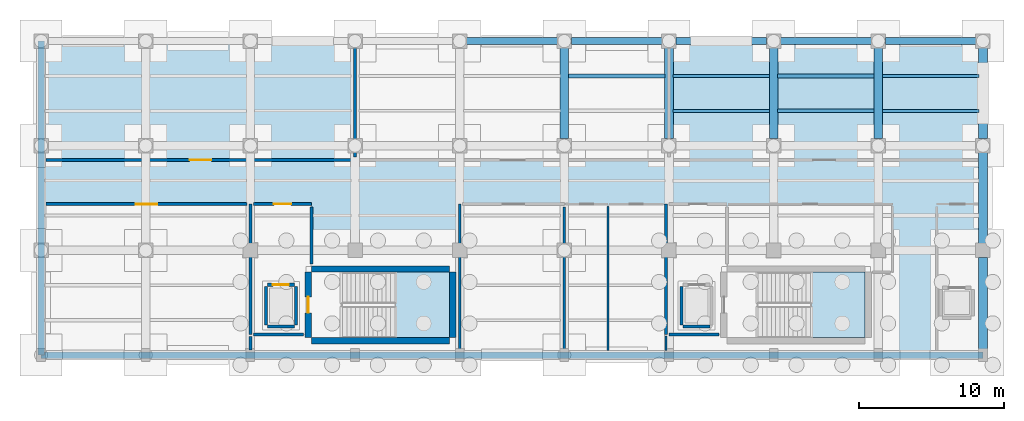
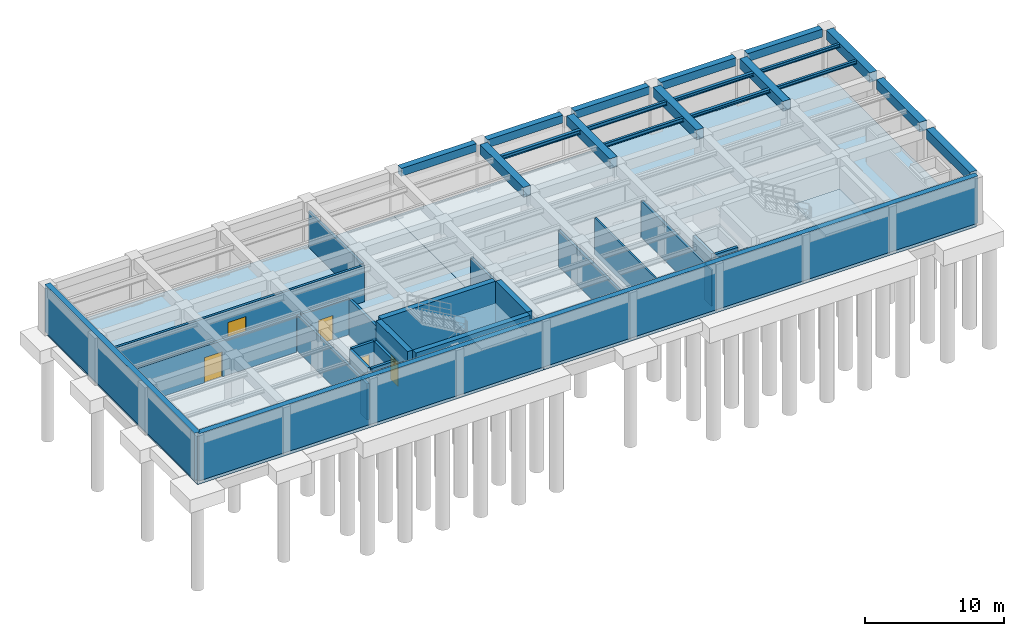
# One storey, part 3 of 8: 26 walls, 19 beams, 5 doors, 4 slabs, 5 openings, 2 elements without a shape of their own.
"""IFC4 building model written with IfcOpenShell, lengths in metres."""

import ifcopenshell
import ifcopenshell.guid

model = None  # the IFC model being written
_history = None  # IfcOwnerHistory: only IFC2X3 demands one
_inside = {}  # id of a spatial element -> (the spatial element, [elements in it])
_under = {}  # id of a project, library or spatial element -> (it, [spatial elements below it])
_declared = {}  # id of a project -> (the project, [libraries it declares])
_typed = {}  # id of a type object -> (the type object, [elements of that type])
_made_of = {}  # id of a material, layer set ... -> (it, [elements and type objects made of it])


def new_model(schema):
    """Start an empty IFC model of exactly this schema.

    Asked for "IFC4X3", IfcOpenShell would pick the latest addendum, in which some entities
    have other attributes; the version numbers below select the first issue.
    IFC2X3 requires an IfcOwnerHistory on every rooted entity: one is made here for all.
    """
    global model, _history
    if schema == "IFC4X3":
        model = ifcopenshell.file(schema_version=(4, 3, 0, 0))
    else:
        model = ifcopenshell.file(schema=schema)
    _inside.clear()
    _under.clear()
    _declared.clear()
    _typed.clear()
    _made_of.clear()
    _history = None
    if model.schema == "IFC2X3":
        org = make("IfcOrganization", Name="unknown")
        user = make(
            "IfcPersonAndOrganization",
            ThePerson=make("IfcPerson", FamilyName="unknown"),
            TheOrganization=org,
        )
        app = make(
            "IfcApplication",
            ApplicationDeveloper=org,
            Version="unknown",
            ApplicationFullName="unknown",
            ApplicationIdentifier="unknown",
        )
        _history = make(
            "IfcOwnerHistory",
            OwningUser=user,
            OwningApplication=app,
            ChangeAction="ADDED",
            CreationDate=0,
        )
    return model


def make(cls, **values):
    """One entity of the class cls with the attributes given. An attribute that is None is left unset."""
    return model.create_entity(
        cls, **{name: value for name, value in values.items() if value is not None}
    )


def rooted(cls, **values):
    """An entity with a GlobalId (a new one), such as an element, a storey or a relation."""
    return make(cls, GlobalId=ifcopenshell.guid.new(), OwnerHistory=_history, **values)


def si_unit(unit_type, name, prefix=None):
    """IfcSIUnit, for example si_unit("LENGTHUNIT", "METRE", prefix="MILLI")."""
    return make("IfcSIUnit", UnitType=unit_type, Prefix=prefix, Name=name)


def assignment(units):
    """IfcUnitAssignment: the units of a project."""
    return None if units is None else make("IfcUnitAssignment", Units=units)


def point(xyz):
    """IfcCartesianPoint."""
    return None if xyz is None else make("IfcCartesianPoint", Coordinates=xyz)


def direction(xyz):
    """IfcDirection."""
    return None if xyz is None else make("IfcDirection", DirectionRatios=xyz)


def frame(location, z_axis=None, x_axis=None):
    """IfcAxis2Placement3D, a coordinate frame: its origin and axes. An axis left out is left unset."""
    return make(
        "IfcAxis2Placement3D",
        Location=point(location),
        Axis=direction(z_axis),
        RefDirection=direction(x_axis),
    )


def frame_2d(location, x_axis=None):
    """IfcAxis2Placement2D, a coordinate frame in the plane: its origin and x axis."""
    return make(
        "IfcAxis2Placement2D", Location=point(location), RefDirection=direction(x_axis)
    )


def origin():
    """The frame at (0, 0, 0) with its axes left unset."""
    return frame((0.0, 0.0, 0.0))


def origin_2d():
    """The frame at (0, 0) in the plane with its x axis left unset."""
    return frame_2d((0.0, 0.0))


def place(relative_to, where):
    """IfcLocalPlacement: puts the frame where relative to a parent placement (None: the world)."""
    return make(
        "IfcLocalPlacement", PlacementRelTo=relative_to, RelativePlacement=where
    )


def context(
    kind, dimensions, precision=None, world=None, true_north=None, identifier=None
):
    """IfcGeometricRepresentationContext, for example the 3D "Model" context."""
    return make(
        "IfcGeometricRepresentationContext",
        ContextIdentifier=identifier,
        ContextType=kind,
        CoordinateSpaceDimension=dimensions,
        Precision=precision,
        WorldCoordinateSystem=world,
        TrueNorth=true_north,
    )


def subcontext(parent, identifier, kind, view, scale=None):
    """IfcGeometricRepresentationSubContext, for example "Body" below "Model"."""
    return make(
        "IfcGeometricRepresentationSubContext",
        ContextIdentifier=identifier,
        ContextType=kind,
        ParentContext=parent,
        TargetScale=scale,
        TargetView=view,
    )


def project(units=None, contexts=None):
    """IfcProject with its units and contexts."""
    return rooted(
        "IfcProject",
        Name="project",
        RepresentationContexts=contexts,
        UnitsInContext=assignment(units),
    )


def spatial(cls, under=None, at=None, **own):
    """A site, building, storey or space (cls), placed at a placement, below another one or the project."""
    s = rooted(cls, ObjectPlacement=at, **own)
    if under is not None:
        _under.setdefault(under.id(), (under, []))[1].append(s)
    return s


def polyline(points):
    """IfcPolyline through the points."""
    return make("IfcPolyline", Points=[point(p) for p in points])


def profile(cls, at=None, kind="AREA", **sizes):
    """A parametric profile (cls). Its sizes go by their IFC names, for example OverallWidth=200.0."""
    return make(cls, ProfileType=kind, Position=at, **sizes)


def rectangle(**sizes):
    """IfcRectangleProfileDef."""
    return profile("IfcRectangleProfileDef", **sizes)


def i_section(**sizes):
    """IfcIShapeProfileDef."""
    return profile("IfcIShapeProfileDef", **sizes)


def outline(outer, holes=None, kind="AREA"):
    """IfcArbitraryClosedProfileDef: a profile drawn as a closed curve; with holes, ...WithVoids."""
    if holes is None:
        return make("IfcArbitraryClosedProfileDef", ProfileType=kind, OuterCurve=outer)
    return make(
        "IfcArbitraryProfileDefWithVoids",
        ProfileType=kind,
        OuterCurve=outer,
        InnerCurves=holes,
    )


def extrude(swept, where, along, depth):
    """IfcExtrudedAreaSolid: the profile swept, set in the frame where, extruded along a direction by depth."""
    return make(
        "IfcExtrudedAreaSolid",
        SweptArea=swept,
        Position=where,
        ExtrudedDirection=direction(along),
        Depth=depth,
    )


def shape(context_of_items, identifier, shape_type, items):
    """IfcShapeRepresentation: the items that make up one representation, for example the "Body"."""
    return make(
        "IfcShapeRepresentation",
        ContextOfItems=context_of_items,
        RepresentationIdentifier=identifier,
        RepresentationType=shape_type,
        Items=items,
    )


def material(Name=None, Category=None):
    """IfcMaterial."""
    return make("IfcMaterial", Name=Name, Category=Category)


def layer(
    of_material, thickness, ventilated=None, Name=None, Category=None, Priority=None
):
    """IfcMaterialLayer: one layer of a wall or slab, of a material (None: an air gap)."""
    return make(
        "IfcMaterialLayer",
        Material=of_material,
        LayerThickness=thickness,
        IsVentilated=ventilated,
        Name=Name,
        Category=Category,
        Priority=Priority,
    )


def layer_set(layers, Name=None):
    """IfcMaterialLayerSet."""
    return make("IfcMaterialLayerSet", MaterialLayers=layers, LayerSetName=Name)


def material_profile(
    of_material, cross_section, Name=None, Category=None, Priority=None
):
    """IfcMaterialProfile: a cross section and its material."""
    return make(
        "IfcMaterialProfile",
        Name=Name,
        Material=of_material,
        Profile=cross_section,
        Priority=Priority,
        Category=Category,
    )


def profile_set(profiles, Name=None, composite=None):
    """IfcMaterialProfileSet."""
    return make(
        "IfcMaterialProfileSet",
        Name=Name,
        MaterialProfiles=profiles,
        CompositeProfile=composite,
    )


def made_of(thing, what):
    """Note that an element or type object is made of a material, layer set ...; save() writes the relation."""
    if what is not None:
        _made_of.setdefault(what.id(), (what, []))[1].append(thing)
    return thing


def type_object(cls, material=None, **own):
    """A type object (cls), such as IfcWallType, which elements share."""
    return made_of(rooted(cls, **own), material)


def element(
    cls,
    number,
    at=None,
    inside=None,
    cuts=None,
    type_object=None,
    material=None,
    context=None,
    identifier="Body",
    shape_type=None,
    held_by="IfcProductDefinitionShape",
    body=None,
    shapes=None,
    **own,
):
    """One element of the class cls, such as IfcWall. Its Tag is "e" and its number.

    at: its placement. inside: the storey or other place that contains it. cuts: it is an
    opening in that element (IfcRelVoidsElement). A single representation is given by context,
    identifier, shape_type and body (its items); several are given by shapes. held_by: the class
    of the entity that holds the representations. save() writes the other relations.
    """
    e = rooted(cls, Tag="e%d" % number, ObjectPlacement=at, **own)
    if body is not None:
        shapes = [shape(context, identifier, shape_type, body)]
    if shapes is not None:
        e.Representation = make(held_by, Representations=shapes)
    if inside is not None:
        _inside.setdefault(inside.id(), (inside, []))[1].append(e)
    if cuts is not None:
        rooted(
            "IfcRelVoidsElement", RelatingBuildingElement=cuts, RelatedOpeningElement=e
        )
    if type_object is not None:
        _typed.setdefault(type_object.id(), (type_object, []))[1].append(e)
    return made_of(e, material)


def fill(opening, filler):
    """IfcRelFillsElement: the door or window that sits in an opening."""
    return rooted(
        "IfcRelFillsElement",
        RelatingOpeningElement=opening,
        RelatedBuildingElement=filler,
    )


def aggregate(whole, parts):
    """IfcRelAggregates: a whole, such as a stair, and the parts it consists of."""
    return rooted("IfcRelAggregates", RelatingObject=whole, RelatedObjects=parts)


def save(model, path):
    """Write the relations noted so far, then the file.

    IfcRelAggregates (storeys below a building ...), IfcRelContainedInSpatialStructure (elements
    in a storey), IfcRelDefinesByType, IfcRelAssociatesMaterial and IfcRelDeclares: one each for
    every whole, place, type object, material and project.
    """
    for whole, parts in _under.values():
        aggregate(whole, parts)
    for where, things in _inside.values():
        rooted(
            "IfcRelContainedInSpatialStructure",
            RelatedElements=things,
            RelatingStructure=where,
        )
    for kind, things in _typed.values():
        rooted("IfcRelDefinesByType", RelatedObjects=things, RelatingType=kind)
    for what, things in _made_of.values():
        rooted("IfcRelAssociatesMaterial", RelatedObjects=things, RelatingMaterial=what)
    for by, libraries in _declared.values():
        rooted("IfcRelDeclares", RelatingContext=by, RelatedDefinitions=libraries)
    model.write(path)


model = new_model("IFC4")

# Units and contexts
model_context = context("Model", 3, precision=1e-05, world=origin(), true_north=direction((0.0, 1.0)))
body_context = subcontext(model_context, "Body", "Model", "MODEL_VIEW")
ifc_project = project(units=[si_unit("LENGTHUNIT", "METRE"), si_unit("AREAUNIT", "SQUARE_METRE"), si_unit("VOLUMEUNIT", "CUBIC_METRE"), si_unit("PLANEANGLEUNIT", "RADIAN"), si_unit("MASSUNIT", "GRAM", prefix="KILO")], contexts=[model_context])

# Site, building, storey
site_placement = place(None, origin())
site = spatial("IfcSite", under=ifc_project, at=site_placement, CompositionType="ELEMENT")
building_placement = place(site_placement, origin())
building = spatial("IfcBuilding", under=site, at=building_placement, Name="Solenvale Faculty of Natural Sciences", CompositionType="ELEMENT")
storey_placement = place(building_placement, frame((0.0, 0.0, -9.0)))
storey = spatial("IfcBuildingStorey", under=building, at=storey_placement, Name="B02", CompositionType="ELEMENT", Elevation=-9.0)

# Beams
ifc_material_1 = material(Name="Concrete 40 MPa", Category="concrete")
ifc_material_profile_1 = material_profile(ifc_material_1, rectangle(XDim=0.60009765625, YDim=0.85009765625, at=origin_2d()), Name="RC-BM-600x850")
ifc_profile_set_1 = profile_set([ifc_material_profile_1], Name="Concrete 40 MPa")
beam_type_1 = type_object("IfcBeamType", Name="BM-RC-600x850", PredefinedType="BEAM", material=ifc_profile_set_1)
for number, where, z_axis, x_axis, name in (
    (1, (122.39990234375, 108.47998046875, 3.72509765625), (0.0, 1.0, 0.0), (-1.0, 0.0, 0.0), "B02 Y-Girder X122.4 (108.0..115.2)"),
    (2, (129.60009765625, 108.47998046875, 3.72509765625), (0.0, 1.0, 0.0), (-1.0, 0.0, 0.0), "B02 Y-Girder X129.6 (108.0..115.2)"),
    (3, (136.800048828125, 108.47998046875, 3.72509765625), (0.0, 1.0, 0.0), (-1.0, 0.0, 0.0), "B02 Y-Girder X136.8 (108.0..115.2)"),
    (4, (144.0, 108.47998046875, 3.72509765625), (0.0, 1.0, 0.0), (-1.0, 0.0, 0.0), "B02 Y-Girder X144.0 (108.0..115.2)"),
):
    element("IfcBeam", number, at=place(storey_placement, frame(where, z_axis=z_axis, x_axis=x_axis)), inside=storey, type_object=beam_type_1, Name=name, PredefinedType="BEAM", context=body_context, shape_type="SweptSolid", body=[
        extrude(rectangle(XDim=0.60009765625, YDim=0.85009765625, at=origin_2d()), origin(), (0.0, 0.0, 1.0), 6.239990234375),
    ])
beam_1_placement = place(storey_placement, frame((151.199951171875, 94.030029296875, 3.72509765625), z_axis=(0.0, 1.0, 0.0), x_axis=(-1.0, 0.0, 0.0)))
element("IfcBeam", 5, at=beam_1_placement, inside=storey, type_object=beam_type_1, Name="B02 Y-Girder X151.2 (93.6..100.8)", PredefinedType="BEAM", context=body_context, shape_type="SweptSolid", body=[
    extrude(rectangle(XDim=0.60009765625, YDim=0.85009765625, at=origin_2d()), origin(), (0.0, 0.0, 1.0), 6.2900390625),
])
for number, where, z_axis, x_axis, name in (
    (6, (151.199951171875, 101.280029296875, 3.72509765625), (0.0, 1.0, 0.0), (-1.0, 0.0, 0.0), "B02 Y-Girder X151.2 (100.8..108.0)"),
    (7, (151.199951171875, 108.47998046875, 3.72509765625), (0.0, 1.0, 0.0), (-1.0, 0.0, 0.0), "B02 Y-Girder X151.2 (108.0..115.2)"),
):
    element("IfcBeam", number, at=place(storey_placement, frame(where, z_axis=z_axis, x_axis=x_axis)), inside=storey, type_object=beam_type_1, Name=name, PredefinedType="BEAM", context=body_context, shape_type="SweptSolid", body=[
        extrude(rectangle(XDim=0.60009765625, YDim=0.85009765625, at=origin_2d()), origin(), (0.0, 0.0, 1.0), 6.239990234375),
    ])
ifc_material_2 = material(Name="Precast concrete 40 MPa", Category="concrete")
ifc_material_profile_2 = material_profile(ifc_material_2, rectangle(XDim=0.5, YDim=0.699951171875, at=origin_2d()), Name="RC-BM-500x700")
ifc_profile_set_2 = profile_set([ifc_material_profile_2], Name="Precast concrete 40 MPa")
beam_type_2 = type_object("IfcBeamType", Name="BM-SPN-PRC-700", PredefinedType="SPANDREL", material=ifc_profile_set_2)
beam_2_placement = place(storey_placement, frame((115.679931640625, 115.199951171875, 3.800048828125), z_axis=(1.0, 0.0, 0.0), x_axis=(0.0, 1.0, 0.0)))
element("IfcBeam", 8, at=beam_2_placement, inside=storey, type_object=beam_type_2, Name="B02 X-Girder Y115.2 (115.2..122.4)", PredefinedType="SPANDREL", context=body_context, shape_type="SweptSolid", body=[
    extrude(rectangle(XDim=0.5, YDim=0.699951171875, at=origin_2d()), origin(), (0.0, 0.0, 1.0), 6.239990234375),
])
beam_3_placement = place(storey_placement, frame((122.8798828125, 115.199951171875, 3.800048828125), z_axis=(1.0, 0.0, 0.0), x_axis=(0.0, 1.0, 0.0)))
element("IfcBeam", 9, at=beam_3_placement, inside=storey, type_object=beam_type_2, Name="B02 X-Girder Y115.2 (122.4..129.6)", PredefinedType="SPANDREL", context=body_context, shape_type="SweptSolid", body=[
    extrude(rectangle(XDim=0.5, YDim=0.699951171875, at=origin_2d()), origin(), (0.0, 0.0, 1.0), 6.240234375),
])
for number, where, z_axis, x_axis, name in (
    (10, (130.080078125, 115.199951171875, 3.800048828125), (1.0, 0.0, 0.0), (0.0, 1.0, 0.0), "B02 X-Girder Y115.2 (129.6..136.8)"),
    (11, (137.280029296875, 115.199951171875, 3.800048828125), (1.0, 0.0, 0.0), (0.0, 1.0, 0.0), "B02 X-Girder Y115.2 (136.8..144.0)"),
    (12, (144.47998046875, 115.199951171875, 3.800048828125), (1.0, 0.0, 0.0), (0.0, 1.0, 0.0), "B02 X-Girder Y115.2 (144.0..151.2)"),
):
    element("IfcBeam", number, at=place(storey_placement, frame(where, z_axis=z_axis, x_axis=x_axis)), inside=storey, type_object=beam_type_2, Name=name, PredefinedType="SPANDREL", context=body_context, shape_type="SweptSolid", body=[
        extrude(rectangle(XDim=0.5, YDim=0.699951171875, at=origin_2d()), origin(), (0.0, 0.0, 1.0), 6.239990234375),
    ])
ifc_material_3 = material(Name="Steel S355", Category="steel")
ifc_material_profile_3 = material_profile(ifc_material_3, i_section(OverallWidth=0.202880859375, OverallDepth=0.302978515625, WebThickness=0.007568359375, FlangeThickness=0.01318359375, FilletRadius=0.014892578125, at=origin_2d()), Name="W310x60")
ifc_profile_set_3 = profile_set([ifc_material_profile_3], Name="Steel S355")
beam_type_3 = type_object("IfcBeamType", Name="BM-STL-W310x60", PredefinedType="JOIST", material=ifc_profile_set_3)
for number, where, z_axis, x_axis, name in (
    (13, (144.280029296875, 110.39990234375, 3.99853515625), (1.0, 0.0, 0.0), (0.0, 1.0, 0.0), "B02 Composite Floor Joist (21,16).1"),
    (14, (144.280029296875, 112.800048828125, 3.99853515625), (1.0, 0.0, 0.0), (0.0, 1.0, 0.0), "B02 Composite Floor Joist (21,16).2"),
):
    element("IfcBeam", number, at=place(storey_placement, frame(where, z_axis=z_axis, x_axis=x_axis)), inside=storey, type_object=beam_type_3, Name=name, PredefinedType="JOIST", context=body_context, shape_type="SweptSolid", body=[
        extrude(i_section(OverallWidth=0.202880859375, OverallDepth=0.302978515625, WebThickness=0.007568359375, FlangeThickness=0.01318359375, FilletRadius=0.014892578125, at=origin_2d()), origin(), (0.0, 0.0, 1.0), 6.639892578125),
    ])
ifc_material_profile_4 = material_profile(ifc_material_3, i_section(OverallWidth=0.25390625, OverallDepth=0.305908203125, WebThickness=0.0087890625, FlangeThickness=0.0146484375, FilletRadius=0.014892578125, at=origin_2d()), Name="W310x79")
ifc_profile_set_4 = profile_set([ifc_material_profile_4], Name="Steel S355")
beam_type_4 = type_object("IfcBeamType", Name="BM-STL-W310x79", PredefinedType="JOIST", material=ifc_profile_set_4)
for number, where, z_axis, x_axis, name in (
    (15, (137.080078125, 110.39990234375, 3.9970703125), (1.0, 0.0, 0.0), (0.0, 1.0, 0.0), "B02 Composite Floor Joist (20,16).1"),
    (16, (137.080078125, 112.800048828125, 3.9970703125), (1.0, 0.0, 0.0), (0.0, 1.0, 0.0), "B02 Composite Floor Joist (20,16).2"),
):
    element("IfcBeam", number, at=place(storey_placement, frame(where, z_axis=z_axis, x_axis=x_axis)), inside=storey, type_object=beam_type_4, Name=name, PredefinedType="JOIST", context=body_context, shape_type="SweptSolid", body=[
        extrude(i_section(OverallWidth=0.25390625, OverallDepth=0.305908203125, WebThickness=0.0087890625, FlangeThickness=0.0146484375, FilletRadius=0.014892578125, at=origin_2d()), origin(), (0.0, 0.0, 1.0), 6.639892578125),
    ])
ifc_material_profile_5 = material_profile(ifc_material_3, i_section(OverallWidth=0.2548828125, OverallDepth=0.35693359375, WebThickness=0.010498046875, FlangeThickness=0.018310546875, FilletRadius=0.014892578125, at=origin_2d()), Name="W360x101")
ifc_profile_set_5 = profile_set([ifc_material_profile_5], Name="Steel S355")
beam_type_5 = type_object("IfcBeamType", Name="BM-STL-W360x101", PredefinedType="JOIST", material=ifc_profile_set_5)
beam_4_placement = place(storey_placement, frame((122.679931640625, 112.800048828125, 3.971435546875), z_axis=(1.0, 0.0, 0.0), x_axis=(0.0, 1.0, 0.0)))
element("IfcBeam", 17, at=beam_4_placement, inside=storey, type_object=beam_type_5, Name="B02 Composite Floor Joist (18,16).2", PredefinedType="JOIST", context=body_context, shape_type="SweptSolid", body=[
    extrude(i_section(OverallWidth=0.2548828125, OverallDepth=0.35693359375, WebThickness=0.010498046875, FlangeThickness=0.018310546875, FilletRadius=0.014892578125, at=origin_2d()), origin(), (0.0, 0.0, 1.0), 6.64013671875),
])
ifc_material_profile_6 = material_profile(ifc_material_3, i_section(OverallWidth=0.2041015625, OverallDepth=0.35009765625, WebThickness=0.008544921875, FlangeThickness=0.01513671875, FilletRadius=0.014892578125, at=origin_2d()), Name="W360x72")
ifc_profile_set_6 = profile_set([ifc_material_profile_6], Name="Steel S355")
beam_type_6 = type_object("IfcBeamType", Name="BM-STL-W360x72", PredefinedType="JOIST", material=ifc_profile_set_6)
for number, where, z_axis, x_axis, name in (
    (18, (129.8798828125, 110.39990234375, 3.97509765625), (1.0, 0.0, 0.0), (0.0, 1.0, 0.0), "B02 Composite Floor Joist (19,16).1"),
    (19, (129.8798828125, 112.800048828125, 3.97509765625), (1.0, 0.0, 0.0), (0.0, 1.0, 0.0), "B02 Composite Floor Joist (19,16).2"),
):
    element("IfcBeam", number, at=place(storey_placement, frame(where, z_axis=z_axis, x_axis=x_axis)), inside=storey, type_object=beam_type_6, Name=name, PredefinedType="JOIST", context=body_context, shape_type="SweptSolid", body=[
        extrude(i_section(OverallWidth=0.2041015625, OverallDepth=0.35009765625, WebThickness=0.008544921875, FlangeThickness=0.01513671875, FilletRadius=0.014892578125, at=origin_2d()), origin(), (0.0, 0.0, 1.0), 6.64013671875),
    ])

# Slabs
ifc_layer_1 = layer(ifc_material_1, 0.449951171875)
ifc_layer_set_1 = layer_set([ifc_layer_1], Name="Concrete 40 MPa")
slab_type_1 = type_object("IfcSlabType", Name="SL-BASE-450", PredefinedType="BASESLAB", material=ifc_layer_set_1)
slab_1_placement = place(storey_placement, frame((0.0, 0.0, -0.449951171875)))
element("IfcSlab", 20, at=slab_1_placement, inside=storey, type_object=slab_type_1, Name="B02 V5 Baseslab Slab 1.1", PredefinedType="BASESLAB", context=body_context, shape_type="SweptSolid", body=[
    extrude(outline(polyline([(86.425048828125, 93.60009765625), (86.4072265625, 93.607421875), (86.39990234375, 93.625), (86.39990234375, 115.175048828125), (86.4091796875, 115.1943359375), (86.425048828125, 115.199951171875), (115.175048828125, 115.199951171875), (115.1943359375, 115.19091796875), (115.199951171875, 115.175048828125), (115.199951171875, 93.625), (115.19091796875, 93.605712890625), (115.175048828125, 93.60009765625), (86.425048828125, 93.60009765625)])), origin(), (0.0, 0.0, 1.0), 0.449951171875),
])
slab_2_placement = place(storey_placement, frame((0.0, 0.0, -0.449951171875)))
element("IfcSlab", 21, at=slab_2_placement, inside=storey, type_object=slab_type_1, Name="B02 V5 Baseslab Slab 2.1", PredefinedType="BASESLAB", context=body_context, shape_type="SweptSolid", body=[
    extrude(outline(polyline([(151.175048828125, 115.199951171875), (151.192626953125, 115.192626953125), (151.199951171875, 115.175048828125), (151.199951171875, 93.625), (151.18896484375, 93.604248046875), (115.22509765625, 93.60009765625), (115.2041015625, 93.611083984375), (115.199951171875, 115.175048828125), (115.211181640625, 115.19580078125), (151.175048828125, 115.199951171875)])), origin(), (0.0, 0.0, 1.0), 0.449951171875),
])

# Stair, slab
stair_type = type_object("IfcStairType", Name="STR-CORE-25R", PredefinedType="DOUBLE_RETURN_STAIR", material=ifc_material_1)
stair_1_placement = place(storey_placement, origin())
stair_1 = element("IfcStair", 22, at=stair_1_placement, inside=storey, type_object=stair_type, Name="B02 Protected Exit Stair ST-04", PredefinedType="DOUBLE_RETURN_STAIR")
ifc_layer_2 = layer(ifc_material_1, 0.195068359375)
ifc_layer_set_2 = layer_set([ifc_layer_2], Name="Concrete 40 MPa")
slab_type_2 = type_object("IfcSlabType", Name="SL-LND-195", PredefinedType="LANDING", material=ifc_layer_set_2)
slab_3_placement = place(storey_placement, frame((0.0, 0.0, 2.050048828125)))
slab_3 = element("IfcSlab", 23, at=slab_3_placement, type_object=slab_type_2, Name="ST-04 landing 1", PredefinedType="LANDING", context=body_context, shape_type="SweptSolid", body=[
    extrude(outline(polyline([(110.739990234375, 94.800048828125), (114.5, 94.800048828125), (114.5, 99.300048828125), (110.739990234375, 99.300048828125), (110.739990234375, 94.800048828125)])), origin(), (0.0, 0.0, 1.0), 0.199951171875),
])
aggregate(stair_1, [slab_3])

stair_2_placement = place(storey_placement, origin())
stair_2 = element("IfcStair", 24, at=stair_2_placement, inside=storey, type_object=stair_type, Name="B02 Protected Exit Stair ST-05", PredefinedType="DOUBLE_RETURN_STAIR")
slab_4_placement = place(storey_placement, frame((0.0, 0.0, 2.050048828125)))
slab_4 = element("IfcSlab", 25, at=slab_4_placement, type_object=slab_type_2, Name="ST-05 landing 1", PredefinedType="LANDING", context=body_context, shape_type="SweptSolid", body=[
    extrude(outline(polyline([(139.340087890625, 94.800048828125), (143.10009765625, 94.800048828125), (143.10009765625, 99.300048828125), (139.340087890625, 99.300048828125), (139.340087890625, 94.800048828125)])), origin(), (0.0, 0.0, 1.0), 0.199951171875),
])
aggregate(stair_2, [slab_4])

# Wall
ifc_material_4 = material(Name="Gypsum fire-rated shaftwall")
ifc_layer_3 = layer(ifc_material_4, 0.205078125)
ifc_layer_set_3 = layer_set([ifc_layer_3], Name="Gypsum fire-rated shaftwall")
wall_type_1 = type_object("IfcWallType", Name="WL-FFL-205", PredefinedType="PARTITIONING", material=ifc_layer_set_3)
wall_1_placement = place(storey_placement, frame((100.800048828125, 95.0, 0.0), z_axis=(0.0, 0.0, 1.0), x_axis=(0.0, 1.0, 0.0)))
element("IfcWall", 26, at=wall_1_placement, inside=storey, type_object=wall_type_1, Name="B02 Firefighting Lobby C4 Partition 1", PredefinedType="PARTITIONING", context=body_context, shape_type="SweptSolid", body=[
    extrude(rectangle(XDim=9.0, YDim=0.205078125, at=frame_2d((4.5, 0.0))), origin(), (0.0, 0.0, 1.0), 3.18994140625),
])

# Wall, opening, door
wall_2_placement = place(storey_placement, frame((101.01708984375, 104.0, 0.0), z_axis=(0.0, 0.0, 1.0), x_axis=(1.0, 0.0, 0.0)))
wall_2 = element("IfcWall", 27, at=wall_2_placement, inside=storey, type_object=wall_type_1, Name="B02 Firefighting Lobby C4 Partition 2", PredefinedType="PARTITIONING", context=body_context, shape_type="SweptSolid", body=[
    extrude(rectangle(XDim=3.98291015625, YDim=0.205078125, at=frame_2d((1.991455078125, 0.0))), origin(), (0.0, 0.0, 1.0), 3.18994140625),
])
opening_1_placement = place(wall_2_placement, frame((1.39208984375, 0.0, 0.0)))
opening_1 = element("IfcOpeningElement", 28, at=opening_1_placement, cuts=wall_2, Name="Opening D-B02-01", PredefinedType="OPENING", context=body_context, shape_type="SweptSolid", body=[
    extrude(rectangle(XDim=1.199951171875, YDim=2.14990234375, at=frame_2d((0.60009765625, 1.074951171875))), frame((0.0, 0.112548828125, 0.0), z_axis=(0.0, -1.0, 0.0), x_axis=(1.0, 0.0, 0.0)), (0.0, 0.0, 1.0), 0.22509765625),
])
ifc_material_5 = material(Name="Galvanised steel S355", Category="steel")
door_type_1 = type_object("IfcDoorType", Name="DR-FFL-1200x2150", OperationType="NOTDEFINED", PredefinedType="DOOR", material=ifc_material_5)
door_1_placement = place(opening_1_placement, origin())
door_1 = element("IfcDoor", 29, at=door_1_placement, inside=storey, type_object=door_type_1, Name="B02 Firefighting Lobby C4 Door", OperationType="SINGLE_SWING_RIGHT", OverallHeight=2.14990234375, OverallWidth=1.199951171875, PredefinedType="DOOR", context=body_context, shape_type="SweptSolid", body=[
    extrude(rectangle(XDim=1.199951171875, YDim=2.14990234375, at=frame_2d((0.60009765625, 1.074951171875))), frame((0.0, 0.02490234375, 0.0), z_axis=(0.0, -1.0, 0.0), x_axis=(1.0, 0.0, 0.0)), (0.0, 0.0, 1.0), 0.050048828125),
])
fill(opening_1, door_1)

# Walls
wall_3_placement = place(storey_placement, frame((105.0, 103.782958984375, 0.0), z_axis=(0.0, 0.0, 1.0), x_axis=(0.0, -1.0, 0.0)))
element("IfcWall", 30, at=wall_3_placement, inside=storey, type_object=wall_type_1, Name="B02 Firefighting Lobby C4 Partition 3", PredefinedType="PARTITIONING", context=body_context, shape_type="SweptSolid", body=[
    extrude(rectangle(XDim=3.927978515625, YDim=0.205078125, at=frame_2d((1.9638671875, 0.0))), origin(), (0.0, 0.0, 1.0), 3.18994140625),
])
wall_4_placement = place(storey_placement, frame((104.445068359375, 95.0, 0.0), z_axis=(0.0, 0.0, 1.0), x_axis=(-1.0, 0.0, 0.0)))
element("IfcWall", 31, at=wall_4_placement, inside=storey, type_object=wall_type_1, Name="B02 Firefighting Lobby C4 Partition 21", PredefinedType="PARTITIONING", context=body_context, shape_type="SweptSolid", body=[
    extrude(rectangle(XDim=3.427978515625, YDim=0.205078125, at=frame_2d((1.7138671875, 0.0))), origin(), (0.0, 0.0, 1.0), 3.18994140625),
])
wall_5_placement = place(storey_placement, frame((129.39990234375, 95.0, 0.0), z_axis=(0.0, 0.0, 1.0), x_axis=(0.0, 1.0, 0.0)))
element("IfcWall", 32, at=wall_5_placement, inside=storey, type_object=wall_type_1, Name="B02 Firefighting Lobby C5 Partition 1", PredefinedType="PARTITIONING", context=body_context, shape_type="SweptSolid", body=[
    extrude(rectangle(XDim=9.0, YDim=0.205078125, at=frame_2d((4.5, 0.0))), origin(), (0.0, 0.0, 1.0), 3.18994140625),
])
wall_6_placement = place(storey_placement, frame((133.0458984375, 95.0, 0.0), z_axis=(0.0, 0.0, 1.0), x_axis=(-1.0, 0.0, 0.0)))
element("IfcWall", 33, at=wall_6_placement, inside=storey, type_object=wall_type_1, Name="B02 Firefighting Lobby C5 Partition 21", PredefinedType="PARTITIONING", context=body_context, shape_type="SweptSolid", body=[
    extrude(rectangle(XDim=3.428955078125, YDim=0.205078125, at=frame_2d((1.71435546875, 0.0))), origin(), (0.0, 0.0, 1.0), 3.18994140625),
])

# Wall, opening, door
ifc_material_6 = material(Name="Gypsum fire-rated laboratory partition")
ifc_layer_4 = layer(ifc_material_6, 0.2119140625)
ifc_layer_set_4 = layer_set([ifc_layer_4], Name="Gypsum fire-rated laboratory partition")
wall_type_2 = type_object("IfcWallType", Name="WL-LAB-212", PredefinedType="PARTITIONING", material=ifc_layer_set_4)
wall_7_placement = place(storey_placement, frame((86.742919921875, 103.97998046875, 0.0), z_axis=(0.0, 0.0, 1.0), x_axis=(1.0, 0.0, 0.0)))
wall_7 = element("IfcWall", 34, at=wall_7_placement, inside=storey, type_object=wall_type_2, Name="B02 Vibration-Isolated Microscopy Laboratory Partition 3", PredefinedType="PARTITIONING", context=body_context, shape_type="SweptSolid", body=[
    extrude(rectangle(XDim=13.836181640625, YDim=0.2119140625, at=frame_2d((6.91796875, 0.0))), origin(), (0.0, 0.0, 1.0), 3.18994140625),
])
opening_2_placement = place(wall_7_placement, frame((6.177978515625, 0.0, 0.0)))
opening_2 = element("IfcOpeningElement", 35, at=opening_2_placement, cuts=wall_7, Name="Opening D-B02-06", PredefinedType="OPENING", context=body_context, shape_type="SweptSolid", body=[
    extrude(rectangle(XDim=1.47998046875, YDim=2.199951171875, at=frame_2d((0.739990234375, 1.10009765625))), frame((0.0, 0.115966796875, 0.0), z_axis=(0.0, -1.0, 0.0), x_axis=(1.0, 0.0, 0.0)), (0.0, 0.0, 1.0), 0.23193359375),
])
ifc_material_7 = material(Name="Oak acoustic timber leaf", Category="wood")
door_type_2 = type_object("IfcDoorType", Name="DR-LAB-1480x2200", OperationType="NOTDEFINED", PredefinedType="DOOR", material=ifc_material_7)
door_2_placement = place(opening_2_placement, origin())
door_2 = element("IfcDoor", 36, at=door_2_placement, inside=storey, type_object=door_type_2, Name="B02 Vibration-Isolated Microscopy Laboratory Door", OperationType="SINGLE_SWING_LEFT", OverallHeight=2.199951171875, OverallWidth=1.47998046875, PredefinedType="DOOR", context=body_context, shape_type="SweptSolid", body=[
    extrude(rectangle(XDim=1.47998046875, YDim=2.199951171875, at=frame_2d((0.739990234375, 1.10009765625))), frame((0.0, 0.02490234375, 0.0), z_axis=(0.0, -1.0, 0.0), x_axis=(1.0, 0.0, 0.0)), (0.0, 0.0, 1.0), 0.050048828125),
])
fill(opening_2, door_2)

# Walls
wall_8_placement = place(storey_placement, frame((100.800048828125, 94.882080078125, 0.0), z_axis=(0.0, 0.0, 1.0), x_axis=(0.0, -1.0, 0.0)))
element("IfcWall", 37, at=wall_8_placement, inside=storey, type_object=wall_type_2, Name="B02 Vibration-Isolated Microscopy Laboratory Partition 21", PredefinedType="PARTITIONING", context=body_context, shape_type="SweptSolid", body=[
    extrude(rectangle(XDim=0.93896484375, YDim=0.2119140625, at=frame_2d((0.469482421875, 0.0))), origin(), (0.0, 0.0, 1.0), 3.18994140625),
])
ifc_layer_5 = layer(ifc_material_1, 0.449951171875)
ifc_layer_set_5 = layer_set([ifc_layer_5], Name="Concrete 40 MPa")
wall_type_3 = type_object("IfcWallType", Name="WL-RET-450", PredefinedType="SOLIDWALL", material=ifc_layer_set_5)
wall_9_placement = place(storey_placement, frame((86.39990234375, 115.199951171875, 0.0), z_axis=(0.0, 0.0, 1.0), x_axis=(0.0, -1.0, 0.0)))
element("IfcWall", 38, at=wall_9_placement, inside=storey, type_object=wall_type_3, Name="B02 Escarpment Retaining Wall 3", PredefinedType="SOLIDWALL", context=body_context, shape_type="SweptSolid", body=[
    extrude(rectangle(XDim=21.599853515625, YDim=0.449951171875, at=frame_2d((10.7998046875, 0.0))), origin(), (0.0, 0.0, 1.0), 4.14990234375),
])
wall_10_placement = place(storey_placement, frame((86.39990234375, 93.60009765625, 0.0), z_axis=(0.0, 0.0, 1.0), x_axis=(1.0, 0.0, 0.0)))
element("IfcWall", 39, at=wall_10_placement, inside=storey, type_object=wall_type_3, Name="B02 Escarpment Retaining Wall 4", PredefinedType="SOLIDWALL", context=body_context, shape_type="SweptSolid", body=[
    extrude(rectangle(XDim=64.800048828125, YDim=0.449951171875, at=frame_2d((32.39990234375, 0.0))), origin(), (0.0, 0.0, 1.0), 4.14990234375),
])
ifc_layer_6 = layer(ifc_material_1, 0.219970703125)
ifc_layer_set_6 = layer_set([ifc_layer_6], Name="Concrete 40 MPa")
wall_type_4 = type_object("IfcWallType", Name="WL-SHF-220", PredefinedType="STANDARD", material=ifc_layer_set_6)
wall_11_placement = place(storey_placement, frame((101.97998046875, 95.570068359375, 0.0), z_axis=(0.0, 0.0, 1.0), x_axis=(1.0, 0.0, 0.0)))
element("IfcWall", 40, at=wall_11_placement, inside=storey, type_object=wall_type_4, Name="Elevator LF-01 B02 Shaft Wall S", PredefinedType="STANDARD", context=body_context, shape_type="SweptSolid", body=[
    extrude(rectangle(XDim=1.840087890625, YDim=0.219970703125, at=frame_2d((0.919921875, 0.0))), origin(), (0.0, 0.0, 1.0), 3.18994140625),
])

# Wall, opening, door
wall_12_placement = place(storey_placement, frame((101.97998046875, 98.429931640625, 0.0), z_axis=(0.0, 0.0, 1.0), x_axis=(1.0, 0.0, 0.0)))
wall_12 = element("IfcWall", 41, at=wall_12_placement, inside=storey, type_object=wall_type_4, Name="Elevator LF-01 B02 Shaft Wall N", PredefinedType="STANDARD", context=body_context, shape_type="SweptSolid", body=[
    extrude(rectangle(XDim=1.840087890625, YDim=0.219970703125, at=frame_2d((0.919921875, 0.0))), origin(), (0.0, 0.0, 1.0), 3.18994140625),
])
opening_3_placement = place(wall_12_placement, frame((0.3701171875, 0.0, 0.0)))
opening_3 = element("IfcOpeningElement", 42, at=opening_3_placement, cuts=wall_12, Name="Opening LD-LF-01-B02", PredefinedType="OPENING", context=body_context, shape_type="SweptSolid", body=[
    extrude(rectangle(XDim=1.10009765625, YDim=2.14990234375, at=frame_2d((0.550048828125, 1.074951171875))), frame((0.0, 0.119873046875, 0.0), z_axis=(0.0, -1.0, 0.0), x_axis=(1.0, 0.0, 0.0)), (0.0, 0.0, 1.0), 0.239990234375),
])
ifc_material_8 = material(Name="Stainless steel Grade 304", Category="steel")
door_type_3 = type_object("IfcDoorType", Name="DR-LIFT-1100x2150", OperationType="NOTDEFINED", PredefinedType="DOOR", material=ifc_material_8)
door_3_placement = place(opening_3_placement, origin())
door_3 = element("IfcDoor", 43, at=door_3_placement, inside=storey, type_object=door_type_3, Name="Elevator LF-01 B02 Sliding Landing Door", OperationType="SLIDING_TO_LEFT", OverallHeight=2.14990234375, OverallWidth=1.10009765625, PredefinedType="DOOR", context=body_context, shape_type="SweptSolid", body=[
    extrude(rectangle(XDim=1.10009765625, YDim=2.14990234375, at=frame_2d((0.550048828125, 1.074951171875))), frame((0.0, 0.02490234375, 0.0), z_axis=(0.0, -1.0, 0.0), x_axis=(1.0, 0.0, 0.0)), (0.0, 0.0, 1.0), 0.050048828125),
])
fill(opening_3, door_3)

# Walls
for number, where, z_axis, x_axis, name in (
    (44, (101.8701171875, 95.679931640625, 0.0), (0.0, 0.0, 1.0), (0.0, 1.0, 0.0), "Elevator LF-01 B02 Shaft Wall W"),
    (45, (103.929931640625, 95.679931640625, 0.0), (0.0, 0.0, 1.0), (0.0, 1.0, 0.0), "Elevator LF-01 B02 Shaft Wall E"),
):
    element("IfcWall", number, at=place(storey_placement, frame(where, z_axis=z_axis, x_axis=x_axis)), inside=storey, type_object=wall_type_4, Name=name, PredefinedType="STANDARD", context=body_context, shape_type="SweptSolid", body=[
        extrude(rectangle(XDim=2.64013671875, YDim=0.219970703125, at=frame_2d((1.320068359375, 0.0))), origin(), (0.0, 0.0, 1.0), 3.18994140625),
    ])
wall_13_placement = place(storey_placement, frame((130.580078125, 95.570068359375, 0.0), z_axis=(0.0, 0.0, 1.0), x_axis=(1.0, 0.0, 0.0)))
element("IfcWall", 46, at=wall_13_placement, inside=storey, type_object=wall_type_4, Name="Elevator LF-02 B02 Shaft Wall S", PredefinedType="STANDARD", context=body_context, shape_type="SweptSolid", body=[
    extrude(rectangle(XDim=1.83984375, YDim=0.219970703125, at=frame_2d((0.919921875, 0.0))), origin(), (0.0, 0.0, 1.0), 3.18994140625),
])
wall_14_placement = place(storey_placement, frame((130.469970703125, 95.679931640625, 0.0), z_axis=(0.0, 0.0, 1.0), x_axis=(0.0, 1.0, 0.0)))
element("IfcWall", 47, at=wall_14_placement, inside=storey, type_object=wall_type_4, Name="Elevator LF-02 B02 Shaft Wall W", PredefinedType="STANDARD", context=body_context, shape_type="SweptSolid", body=[
    extrude(rectangle(XDim=2.64013671875, YDim=0.219970703125, at=frame_2d((1.320068359375, 0.0))), origin(), (0.0, 0.0, 1.0), 3.18994140625),
])
ifc_material_9 = material(Name="Concrete 50 MPa", Category="concrete")
ifc_layer_7 = layer(ifc_material_9, 0.43994140625)
ifc_layer_set_7 = layer_set([ifc_layer_7], Name="Concrete 50 MPa")
wall_type_5 = type_object("IfcWallType", Name="WL-SHR-440", PredefinedType="SHEAR", material=ifc_layer_set_7)
for number, where, z_axis, x_axis, name in (
    (48, (105.0, 94.580078125, 0.0), (0.0, 0.0, 1.0), (1.0, 0.0, 0.0), "Core C4 B02 Shear Wall S"),
    (49, (105.0, 99.52001953125, 0.0), (0.0, 0.0, 1.0), (1.0, 0.0, 0.0), "Core C4 B02 Shear Wall N"),
):
    element("IfcWall", number, at=place(storey_placement, frame(where, z_axis=z_axis, x_axis=x_axis)), inside=storey, type_object=wall_type_5, Name=name, PredefinedType="SHEAR", context=body_context, shape_type="SweptSolid", body=[
        extrude(rectangle(XDim=9.5, YDim=0.43994140625, at=frame_2d((4.75, 0.0))), origin(), (0.0, 0.0, 1.0), 4.14990234375),
    ])

# Wall, opening, door
wall_15_placement = place(storey_placement, frame((104.780029296875, 94.800048828125, 0.0), z_axis=(0.0, 0.0, 1.0), x_axis=(0.0, 1.0, 0.0)))
wall_15 = element("IfcWall", 50, at=wall_15_placement, inside=storey, type_object=wall_type_5, Name="Core C4 B02 Shear Wall W", PredefinedType="SHEAR", context=body_context, shape_type="SweptSolid", body=[
    extrude(rectangle(XDim=4.5, YDim=0.43994140625, at=frame_2d((2.25, 0.0))), origin(), (0.0, 0.0, 1.0), 4.14990234375),
])
opening_4_placement = place(wall_15_placement, frame((1.699951171875, 0.0, 0.0)))
opening_4 = element("IfcOpeningElement", 51, at=opening_4_placement, cuts=wall_15, Name="Opening DS-C4-B02", PredefinedType="OPENING", context=body_context, shape_type="SweptSolid", body=[
    extrude(rectangle(XDim=1.10009765625, YDim=2.14990234375, at=frame_2d((0.550048828125, 1.074951171875))), frame((0.0, 0.22998046875, 0.0), z_axis=(0.0, -1.0, 0.0), x_axis=(1.0, 0.0, 0.0)), (0.0, 0.0, 1.0), 0.4599609375),
])
door_type_4 = type_object("IfcDoorType", Name="DR-STAIR-1100x2150", OperationType="NOTDEFINED", PredefinedType="DOOR", material=ifc_material_5)
door_4_placement = place(opening_4_placement, origin())
door_4 = element("IfcDoor", 52, at=door_4_placement, inside=storey, type_object=door_type_4, Name="B02 Stair ST-04 Fire Door", OperationType="SINGLE_SWING_LEFT", OverallHeight=2.14990234375, OverallWidth=1.10009765625, PredefinedType="DOOR", context=body_context, shape_type="SweptSolid", body=[
    extrude(rectangle(XDim=1.10009765625, YDim=2.14990234375, at=frame_2d((0.550048828125, 1.074951171875))), frame((0.0, 0.02490234375, 0.0), z_axis=(0.0, -1.0, 0.0), x_axis=(1.0, 0.0, 0.0)), (0.0, 0.0, 1.0), 0.050048828125),
])
fill(opening_4, door_4)

# Wall
wall_16_placement = place(storey_placement, frame((114.719970703125, 94.800048828125, 0.0), z_axis=(0.0, 0.0, 1.0), x_axis=(0.0, 1.0, 0.0)))
element("IfcWall", 53, at=wall_16_placement, inside=storey, type_object=wall_type_5, Name="Core C4 B02 Shear Wall E", PredefinedType="SHEAR", context=body_context, shape_type="SweptSolid", body=[
    extrude(rectangle(XDim=4.5, YDim=0.43994140625, at=frame_2d((2.25, 0.0))), origin(), (0.0, 0.0, 1.0), 4.14990234375),
])

# Wall, opening, door
ifc_material_10 = material(Name="Concrete masonry 20 MPa", Category="masonry")
ifc_layer_8 = layer(ifc_material_10, 0.195068359375)
ifc_layer_set_8 = layer_set([ifc_layer_8], Name="Concrete masonry 20 MPa")
wall_type_6 = type_object("IfcWallType", Name="WL-STR-195", PredefinedType="PARTITIONING", material=ifc_layer_set_8)
wall_17_placement = place(storey_placement, frame((108.0, 107.02001953125, 0.0), z_axis=(0.0, 0.0, 1.0), x_axis=(-1.0, 0.0, 0.0)))
wall_17 = element("IfcWall", 54, at=wall_17_placement, inside=storey, type_object=wall_type_6, Name="B02 Central Mechanical Plant Partition 1", PredefinedType="PARTITIONING", context=body_context, shape_type="SweptSolid", body=[
    extrude(rectangle(XDim=21.26611328125, YDim=0.195068359375, at=frame_2d((10.633056640625, 0.0))), origin(), (0.0, 0.0, 1.0), 3.18994140625),
])
opening_5_placement = place(wall_17_placement, frame((9.883056640625, 0.0, 0.0)))
opening_5 = element("IfcOpeningElement", 55, at=opening_5_placement, cuts=wall_17, Name="Opening D-B02-03", PredefinedType="OPENING", context=body_context, shape_type="SweptSolid", body=[
    extrude(rectangle(XDim=1.5, YDim=2.14990234375, at=frame_2d((0.75, 1.074951171875))), frame((0.0, 0.107421875, 0.0), z_axis=(0.0, -1.0, 0.0), x_axis=(1.0, 0.0, 0.0)), (0.0, 0.0, 1.0), 0.215087890625),
])
door_type_5 = type_object("IfcDoorType", Name="DR-PLT-1500x2150", OperationType="NOTDEFINED", PredefinedType="DOOR", material=ifc_material_5)
door_5_placement = place(opening_5_placement, origin())
door_5 = element("IfcDoor", 56, at=door_5_placement, inside=storey, type_object=door_type_5, Name="B02 Central Mechanical Plant Door", OperationType="SINGLE_SWING_RIGHT", OverallHeight=2.14990234375, OverallWidth=1.5, PredefinedType="DOOR", context=body_context, shape_type="SweptSolid", body=[
    extrude(rectangle(XDim=1.5, YDim=2.14990234375, at=frame_2d((0.75, 1.074951171875))), frame((0.0, 0.02490234375, 0.0), z_axis=(0.0, -1.0, 0.0), x_axis=(1.0, 0.0, 0.0)), (0.0, 0.0, 1.0), 0.050048828125),
])
fill(opening_5, door_5)

# Walls
wall_18_placement = place(storey_placement, frame((108.0, 114.865966796875, 0.0), z_axis=(0.0, 0.0, 1.0), x_axis=(0.0, -1.0, 0.0)))
element("IfcWall", 57, at=wall_18_placement, inside=storey, type_object=wall_type_6, Name="B02 Central Mechanical Plant Partition 4", PredefinedType="PARTITIONING", context=body_context, shape_type="SweptSolid", body=[
    extrude(rectangle(XDim=7.638916015625, YDim=0.195068359375, at=frame_2d((3.8193359375, 0.0))), origin(), (0.0, 0.0, 1.0), 3.18994140625),
])
wall_19_placement = place(storey_placement, frame((115.199951171875, 93.93408203125, 0.0), z_axis=(0.0, 0.0, 1.0), x_axis=(0.0, 1.0, 0.0)))
element("IfcWall", 58, at=wall_19_placement, inside=storey, type_object=wall_type_6, Name="B02 Cryogenic and Isotope Specimen Store Partition 2", PredefinedType="PARTITIONING", context=body_context, shape_type="SweptSolid", body=[
    extrude(rectangle(XDim=10.0458984375, YDim=0.195068359375, at=frame_2d((5.02294921875, 0.0))), origin(), (0.0, 0.0, 1.0), 3.18994140625),
])
wall_20_placement = place(storey_placement, frame((122.39990234375, 103.77294921875, 0.0), z_axis=(0.0, 0.0, 1.0), x_axis=(0.0, -1.0, 0.0)))
element("IfcWall", 59, at=wall_20_placement, inside=storey, type_object=wall_type_6, Name="B02 Cryogenic and Isotope Specimen Store Partition 4", PredefinedType="PARTITIONING", context=body_context, shape_type="SweptSolid", body=[
    extrude(rectangle(XDim=9.8388671875, YDim=0.195068359375, at=frame_2d((4.91943359375, 0.0))), origin(), (0.0, 0.0, 1.0), 3.18994140625),
])
ifc_material_11 = material(Name="Moisture-resistant tile partition")
ifc_layer_9 = layer(ifc_material_11, 0.14990234375)
ifc_layer_set_9 = layer_set([ifc_layer_9], Name="Moisture-resistant tile partition")
wall_type_7 = type_object("IfcWallType", Name="WL-WC-150", PredefinedType="PARTITIONING", material=ifc_layer_set_9)
wall_21_placement = place(storey_placement, frame((125.39990234375, 103.818115234375, 0.0), z_axis=(0.0, 0.0, 1.0), x_axis=(0.0, -1.0, 0.0)))
element("IfcWall", 60, at=wall_21_placement, inside=storey, type_object=wall_type_7, Name="B02 Staff Washroom Partition 4", PredefinedType="PARTITIONING", context=body_context, shape_type="SweptSolid", body=[
    extrude(rectangle(XDim=9.906005859375, YDim=0.14990234375, at=frame_2d((4.953125, 0.0))), origin(), (0.0, 0.0, 1.0), 3.18994140625),
])
wall_22_placement = place(storey_placement, frame((129.39990234375, 94.9130859375, 0.0), z_axis=(0.0, 0.0, 1.0), x_axis=(0.0, -1.0, 0.0)))
element("IfcWall", 61, at=wall_22_placement, inside=storey, type_object=wall_type_7, Name="B02 Accessible Washroom Partition 21", PredefinedType="PARTITIONING", context=body_context, shape_type="SweptSolid", body=[
    extrude(rectangle(XDim=1.0009765625, YDim=0.14990234375, at=frame_2d((0.50048828125, 0.0))), origin(), (0.0, 0.0, 1.0), 3.18994140625),
])

save(model, "model.ifc")
